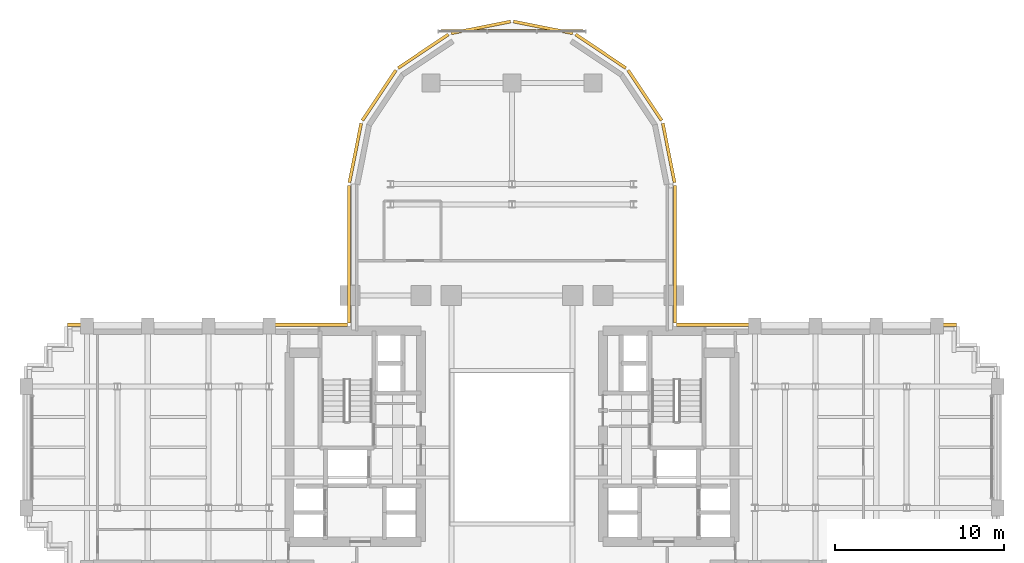
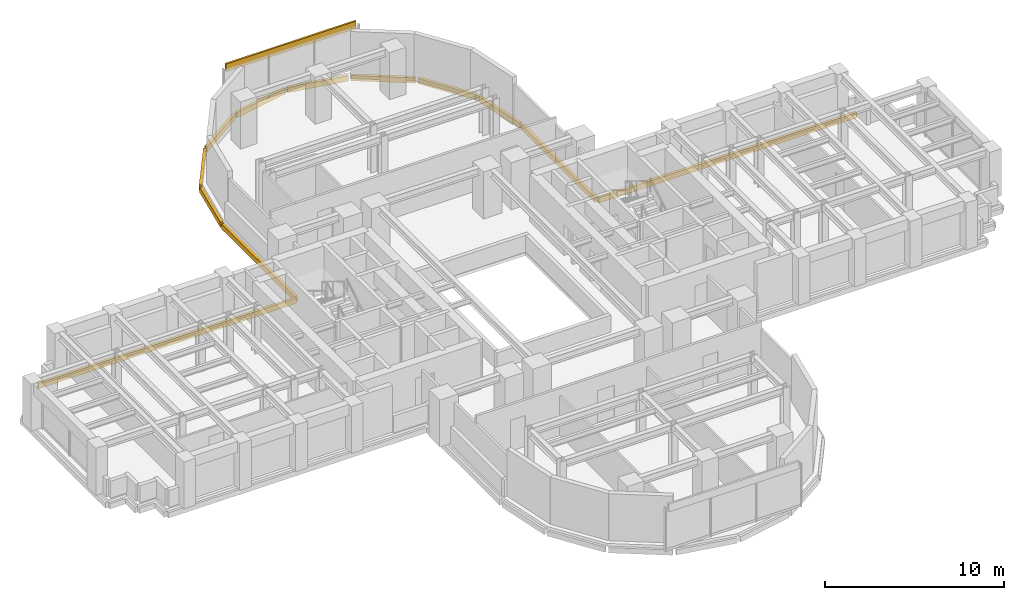
# One storey, part 16 of 16: 13 coverings.
"""IFC4 building model written with IfcOpenShell, lengths in metres."""

from ifc_helpers import new_model, si_unit, direction, frame, origin, origin_2d, place, context, subcontext, project, spatial, rectangle, extrude, source, transform, mapped, material, layer, layer_set, type_object, element, save


model = new_model("IFC4")

# Units and contexts
model_context = context("Model", 3, precision=1e-05, world=origin(), true_north=direction((0.0, 1.0)))
body_context = subcontext(model_context, "Body", "Model", "MODEL_VIEW")
ifc_project = project(units=[si_unit("LENGTHUNIT", "METRE"), si_unit("AREAUNIT", "SQUARE_METRE"), si_unit("VOLUMEUNIT", "CUBIC_METRE"), si_unit("PLANEANGLEUNIT", "RADIAN"), si_unit("MASSUNIT", "GRAM", prefix="KILO")], contexts=[model_context])

# Site, building, storey
site_placement = place(None, origin())
site = spatial("IfcSite", under=ifc_project, at=site_placement, CompositionType="ELEMENT")
building_placement = place(site_placement, origin())
building = spatial("IfcBuilding", under=site, at=building_placement, Name="Keilestroom Media Tower", CompositionType="ELEMENT")
storey_placement = place(building_placement, frame((0.0, 0.0, 54.39990234375)))
storey = spatial("IfcBuildingStorey", under=building, at=storey_placement, Name="L13", CompositionType="ELEMENT", Elevation=54.39990234375)

# Coverings
ifc_material = material(Name="Precast concrete C40/50", Category="concrete")
ifc_layer = layer(ifc_material, 0.1201171875)
ifc_layer_set = layer_set([ifc_layer], Name="Precast concrete C40/50")
covering_type = type_object("IfcCoveringType", Name="Exterior-Precast-Spandrel-Cladding-Panel-120", PredefinedType="CLADDING", material=ifc_layer_set)
shared_shape_1 = source(origin(), body_context, "Body", "SweptSolid", [
    extrude(rectangle(XDim=8.39990234375, YDim=0.1201171875, at=origin_2d()), origin(), (0.0, 0.0, 1.0), 0.52001953125),
])
covering_placement = place(storey_placement, frame((0.0, 24.719970703125, 2.690185546875), z_axis=(0.0, 0.0, 1.0), x_axis=(1.0, 0.0, 0.0)))
element("IfcCovering", 1, at=covering_placement, inside=storey, type_object=covering_type, Name="L13 Precast Spandrel Cladding N", PredefinedType="CLADDING", context=body_context, shape_type="MappedRepresentation", body=[
    mapped(shared_shape_1, transform((0.0, 0.0, 0.0), x_axis=(1.0, 0.0, 0.0), y_axis=(0.0, 1.0, 0.0), z_axis=(0.0, 0.0, 1.0), scale=1.0)),
])
shared_shape_2 = source(origin(), body_context, "Body", "SweptSolid", [
    extrude(rectangle(XDim=16.6201171875, YDim=0.179931640625, at=origin_2d()), origin(), (0.0, 0.0, 1.0), 0.360107421875),
])
for number, where, z_axis, x_axis, name in (
    (2, (-18.06005859375, 7.260009765625, -0.5400390625), (0.0, 0.0, 1.0), (1.0, 0.0, 0.0), "L13 Precast Slab-Edge Fascia Cornice 26"),
    (3, (18.06005859375, 7.260009765625, -0.5400390625), (0.0, 0.0, 1.0), (1.0, 0.0, 0.0), "L13 Precast Slab-Edge Fascia Cornice 37"),
):
    element("IfcCovering", number, at=place(storey_placement, frame(where, z_axis=z_axis, x_axis=x_axis)), inside=storey, type_object=covering_type, Name=name, PredefinedType="CLADDING", context=body_context, shape_type="MappedRepresentation", body=[
        mapped(shared_shape_2, transform((0.0, 0.0, 0.0), x_axis=(1.0, 0.0, 0.0), y_axis=(0.0, 1.0, 0.0), z_axis=(0.0, 0.0, 1.0), scale=1.0)),
    ])
shared_shape_3 = source(origin(), body_context, "Body", "SweptSolid", [
    extrude(rectangle(XDim=8.166015625, YDim=0.179931640625, at=origin_2d()), origin(), (0.0, 0.0, 1.0), 0.360107421875),
])
for number, where, z_axis, x_axis, name in (
    (4, (-9.659912109375, 11.43310546875, -0.5400390625), (0.0, 0.0, 1.0), (0.0, 1.0, 0.0), "L13 Precast Slab-Edge Fascia Cornice 27"),
    (5, (9.659912109375, 11.43310546875, -0.5400390625), (0.0, 0.0, 1.0), (0.0, -1.0, 0.0), "L13 Precast Slab-Edge Fascia Cornice 36"),
):
    element("IfcCovering", number, at=place(storey_placement, frame(where, z_axis=z_axis, x_axis=x_axis)), inside=storey, type_object=covering_type, Name=name, PredefinedType="CLADDING", context=body_context, shape_type="MappedRepresentation", body=[
        mapped(shared_shape_3, transform((0.0, 0.0, 0.0), x_axis=(1.0, 0.0, 0.0), y_axis=(0.0, 1.0, 0.0), z_axis=(0.0, 0.0, 1.0), scale=1.0)),
    ])
shared_shape_4 = source(origin(), body_context, "Body", "SweptSolid", [
    extrude(rectangle(XDim=3.58349609375, YDim=0.179931640625, at=origin_2d()), origin(), (0.0, 0.0, 1.0), 0.360107421875),
])
for number, where, z_axis, x_axis, name in (
    (6, (-9.29296875, 17.45166015625, -0.5400390625), (0.0, 0.0, 1.0), (0.195098880975, 0.980783577882, 0.0), "L13 Precast Slab-Edge Fascia Cornice 28"),
    (7, (9.29296875, 17.45166015625, -0.5400390625), (0.0, 0.0, 1.0), (0.195098880975, -0.980783577882, 0.0), "L13 Precast Slab-Edge Fascia Cornice 35"),
):
    element("IfcCovering", number, at=place(storey_placement, frame(where, z_axis=z_axis, x_axis=x_axis)), inside=storey, type_object=covering_type, Name=name, PredefinedType="CLADDING", context=body_context, shape_type="MappedRepresentation", body=[
        mapped(shared_shape_4, transform((0.0, 0.0, 0.0), x_axis=(1.0, 0.0, 0.0), y_axis=(0.0, 1.0, 0.0), z_axis=(0.0, 0.0, 1.0), scale=1.0)),
    ])
shared_shape_5 = source(origin(), body_context, "Body", "SweptSolid", [
    extrude(rectangle(XDim=3.589599609375, YDim=0.179931640625, at=origin_2d()), origin(), (0.0, 0.0, 1.0), 0.360107421875),
])
for number, where, z_axis, x_axis, name in (
    (8, (-7.878662109375, 20.8642578125, -0.5400390625), (0.0, 0.0, 1.0), (0.555574586577, 0.831466703332, 0.0), "L13 Precast Slab-Edge Fascia Cornice 29"),
    (9, (-5.264404296875, 23.478515625, -0.5400390625), (0.0, 0.0, 1.0), (0.831466703332, 0.555574586577, 0.0), "L13 Precast Slab-Edge Fascia Cornice 30"),
    (10, (-1.8486328125, 24.893310546875, -0.5400390625), (0.0, 0.0, 1.0), (0.980783577882, 0.195098880975, 0.0), "L13 Precast Slab-Edge Fascia Cornice 31"),
    (11, (1.8486328125, 24.893310546875, -0.5400390625), (0.0, 0.0, 1.0), (0.980783577882, -0.195098880975, 0.0), "L13 Precast Slab-Edge Fascia Cornice 32"),
    (12, (5.264404296875, 23.478515625, -0.5400390625), (0.0, 0.0, 1.0), (0.831466703332, -0.555574586577, 0.0), "L13 Precast Slab-Edge Fascia Cornice 33"),
    (13, (7.878662109375, 20.8642578125, -0.5400390625), (0.0, 0.0, 1.0), (0.555574586577, -0.831466703332, 0.0), "L13 Precast Slab-Edge Fascia Cornice 34"),
):
    element("IfcCovering", number, at=place(storey_placement, frame(where, z_axis=z_axis, x_axis=x_axis)), inside=storey, type_object=covering_type, Name=name, PredefinedType="CLADDING", context=body_context, shape_type="MappedRepresentation", body=[
        mapped(shared_shape_5, transform((0.0, 0.0, 0.0), x_axis=(1.0, 0.0, 0.0), y_axis=(0.0, 1.0, 0.0), z_axis=(0.0, 0.0, 1.0), scale=1.0)),
    ])

save(model, "model.ifc")
